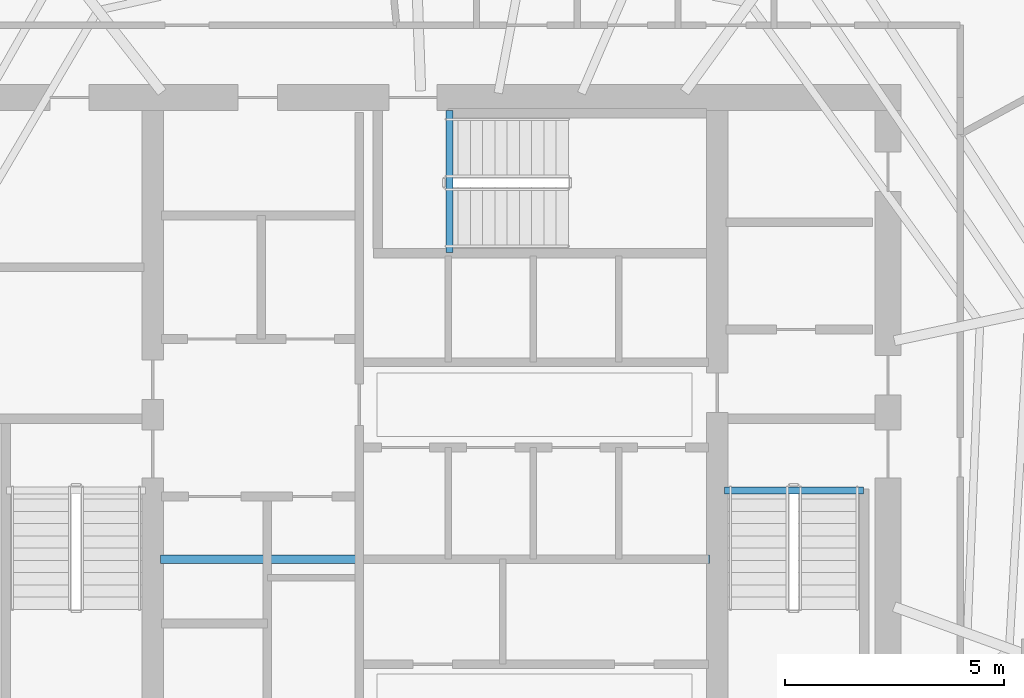
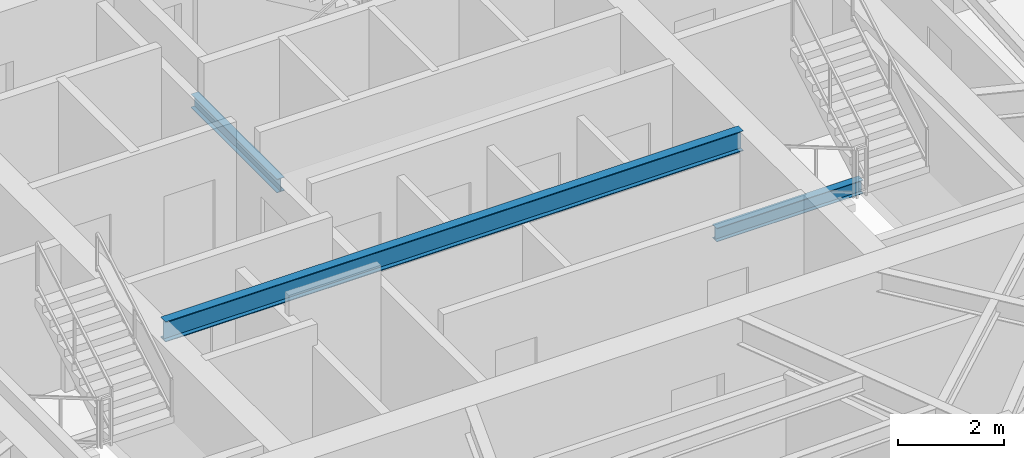
# One storey, part 8 of 21: 3 beams.
"""IFC4 building model written with IfcOpenShell, lengths in metres."""

from ifc_helpers import new_model, si_unit, direction, frame, origin, origin_2d, place, context, subcontext, project, spatial, i_section, extrude, material, material_profile, profile_set, type_object, element, save


model = new_model("IFC4")

# Units and contexts
model_context = context("Model", 3, precision=1e-05, world=origin(), true_north=direction((0.0, 1.0)))
body_context = subcontext(model_context, "Body", "Model", "MODEL_VIEW")
ifc_project = project(units=[si_unit("LENGTHUNIT", "METRE"), si_unit("AREAUNIT", "SQUARE_METRE"), si_unit("VOLUMEUNIT", "CUBIC_METRE"), si_unit("PLANEANGLEUNIT", "RADIAN"), si_unit("MASSUNIT", "GRAM", prefix="KILO")], contexts=[model_context])

# Site, building, storey
site_placement = place(None, origin())
site = spatial("IfcSite", under=ifc_project, at=site_placement, CompositionType="ELEMENT")
building_placement = place(site_placement, origin())
building = spatial("IfcBuilding", under=site, at=building_placement, Name="Qarnah Convention Tower", CompositionType="ELEMENT")
storey_placement = place(building_placement, frame((0.0, 0.0, 165.300048828125)))
storey = spatial("IfcBuildingStorey", under=building, at=storey_placement, Name="L44", CompositionType="ELEMENT", Elevation=165.300048828125)

# Beams
ifc_material = material(Name="Structural steel S355JR", Category="steel")
ifc_material_profile_1 = material_profile(ifc_material, i_section(OverallWidth=0.19189453125, OverallDepth=0.464111328125, WebThickness=0.010986328125, FlangeThickness=0.01806640625, at=origin_2d()), Name="W460X89")
ifc_profile_set_1 = profile_set([ifc_material_profile_1], Name="Structural steel S355JR")
beam_type_1 = type_object("IfcBeamType", Name="BM-CANT-W460A", PredefinedType="BEAM", material=ifc_profile_set_1)
beam_1_placement = place(storey_placement, frame((30.97998046875, 23.64990234375, 3.087890625), z_axis=(1.0, 0.0, 0.0), x_axis=(0.0, 1.0, 0.0)))
element("IfcBeam", 1, at=beam_1_placement, inside=storey, type_object=beam_type_1, Name="L44 beam BM-L44-KC1", PredefinedType="BEAM", context=body_context, shape_type="SweptSolid", body=[
    extrude(i_section(OverallWidth=0.19189453125, OverallDepth=0.464111328125, WebThickness=0.010986328125, FlangeThickness=0.01806640625, at=origin_2d()), origin(), (0.0, 0.0, 1.0), 12.5400390625),
])
ifc_material_profile_2 = material_profile(ifc_material, i_section(OverallWidth=0.166015625, OverallDepth=0.31201171875, WebThickness=0.007080078125, FlangeThickness=0.010986328125, at=origin_2d()), Name="W310X45")
ifc_profile_set_2 = profile_set([ifc_material_profile_2], Name="Structural steel S355JR")
beam_type_2 = type_object("IfcBeamType", Name="BM-JST-W310", PredefinedType="JOIST", material=ifc_profile_set_2)
beam_2_placement = place(storey_placement, frame((43.860107421875, 25.217041015625, -0.156005859375), z_axis=(1.0, 0.0, 0.0), x_axis=(0.0, 1.0, 0.0)))
element("IfcBeam", 2, at=beam_2_placement, inside=storey, type_object=beam_type_2, Name="L44 stair landing trimmer beam BM-L44-ST2-TRM", PredefinedType="BEAM", context=body_context, shape_type="SweptSolid", body=[
    extrude(i_section(OverallWidth=0.166015625, OverallDepth=0.31201171875, WebThickness=0.007080078125, FlangeThickness=0.010986328125, at=origin_2d()), origin(), (0.0, 0.0, 1.0), 3.179931640625),
])
beam_3_placement = place(storey_placement, frame((37.5830078125, 30.659912109375, -0.156005859375), z_axis=(0.0, 1.0, 0.0), x_axis=(-1.0, 0.0, 0.0)))
element("IfcBeam", 3, at=beam_3_placement, inside=storey, type_object=beam_type_2, Name="L44 stair landing trimmer beam BM-L44-ST3-TRM", PredefinedType="BEAM", context=body_context, shape_type="SweptSolid", body=[
    extrude(i_section(OverallWidth=0.166015625, OverallDepth=0.31201171875, WebThickness=0.007080078125, FlangeThickness=0.010986328125, at=origin_2d()), origin(), (0.0, 0.0, 1.0), 3.239990234375),
])

save(model, "model.ifc")
